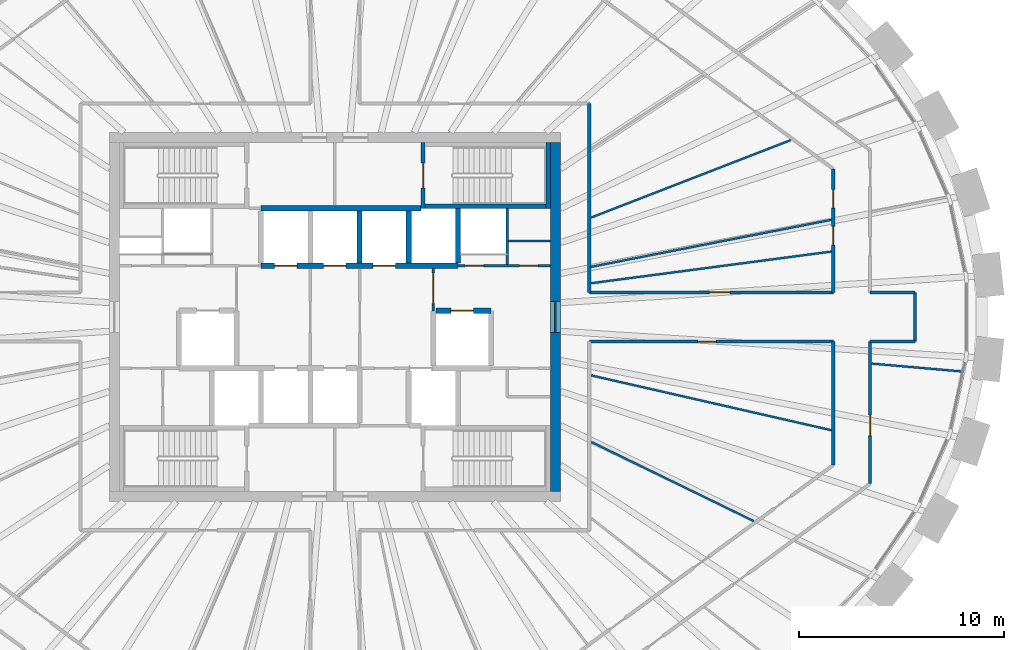
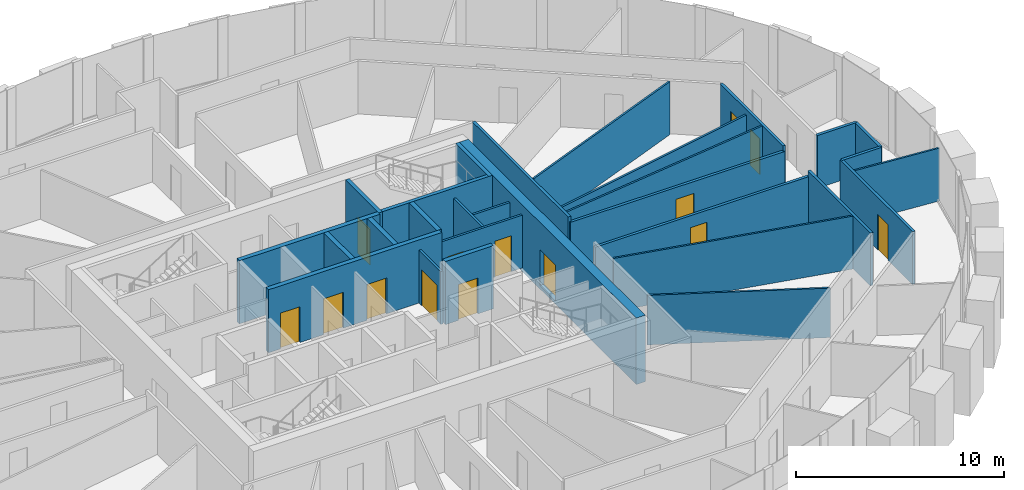
# One storey, part 9 of 12: 29 walls, 14 doors, 14 openings.
"""IFC4 building model written with IfcOpenShell, lengths in metres."""

from ifc_helpers import new_model, si_unit, direction, frame, frame_2d, origin, place, context, subcontext, project, spatial, rectangle, extrude, source, transform, mapped, material, layer, layer_set, type_object, element, fill, save


model = new_model("IFC4")

# Units and contexts
model_context = context("Model", 3, precision=1e-05, world=origin(), true_north=direction((0.0, 1.0)))
body_context = subcontext(model_context, "Body", "Model", "MODEL_VIEW")
ifc_project = project(units=[si_unit("LENGTHUNIT", "METRE"), si_unit("AREAUNIT", "SQUARE_METRE"), si_unit("VOLUMEUNIT", "CUBIC_METRE"), si_unit("PLANEANGLEUNIT", "RADIAN"), si_unit("MASSUNIT", "GRAM", prefix="KILO")], contexts=[model_context])

# Site, building, storey
site_placement = place(None, origin())
site = spatial("IfcSite", under=ifc_project, at=site_placement, CompositionType="ELEMENT")
building_placement = place(site_placement, origin())
building = spatial("IfcBuilding", under=site, at=building_placement, Name="Embergate Tower", CompositionType="ELEMENT")
storey_placement = place(building_placement, frame((0.0, 0.0, 281.199951171875)))
storey = spatial("IfcBuildingStorey", under=building, at=storey_placement, Name="L65", CompositionType="ELEMENT", Elevation=281.199951171875)

# Wall, opening, door
ifc_material_1 = material(Name="Concrete C50", Category="concrete")
ifc_layer_1 = layer(ifc_material_1, 0.5)
ifc_layer_set_1 = layer_set([ifc_layer_1], Name="Concrete C50")
wall_type_1 = type_object("IfcWallType", Name="Core outer wall C50 500", PredefinedType="SHEAR", material=ifc_layer_set_1)
shared_shape_1 = source(origin(), body_context, "Body", "SweptSolid", [
    extrude(rectangle(XDim=17.0, YDim=0.5, at=frame_2d((8.5, 0.0))), origin(), (0.0, 0.0, 1.0), 3.89990234375),
])
wall_1_placement = place(storey_placement, frame((10.75, -8.5, -0.199951171875), z_axis=(0.0, 0.0, 1.0), x_axis=(0.0, 1.0, 0.0)))
wall_1 = element("IfcWall", 1, at=wall_1_placement, inside=storey, type_object=wall_type_1, Name="CW-L65-E", PredefinedType="SHEAR", context=body_context, shape_type="MappedRepresentation", body=[
    mapped(shared_shape_1, transform((0.0, 0.0, 0.0))),
])
shared_shape_2 = source(origin(), body_context, "Body", "SweptSolid", [
    extrude(rectangle(XDim=1.5, YDim=2.10009765625, at=frame_2d((0.75, 1.050048828125))), frame((0.0, 0.260009765625, 0.0), z_axis=(0.0, -1.0, 0.0), x_axis=(1.0, 0.0, 0.0)), (0.0, 0.0, 1.0), 0.52001953125),
])
opening_1_placement = place(wall_1_placement, frame((7.75, 0.0, 0.199951171875)))
opening_1 = element("IfcOpeningElement", 2, at=opening_1_placement, cuts=wall_1, Name="Opening IF-3", PredefinedType="OPENING", context=body_context, shape_type="MappedRepresentation", body=[
    mapped(shared_shape_2, transform((0.0, 0.0, 0.0))),
])
ifc_material_2 = material(Name="Lobby fire door pair 1500")
door_type_1 = type_object("IfcDoorType", Name="Lobby fire door pair 1500", OperationType="DOUBLE_DOOR_SINGLE_SWING", PredefinedType="DOOR", material=ifc_material_2)
shared_shape_3 = source(origin(), body_context, "Body", "SweptSolid", [
    extrude(rectangle(XDim=1.5, YDim=2.10009765625, at=frame_2d((0.75, 1.050048828125))), frame((0.0, 0.02490234375, 0.0), z_axis=(0.0, -1.0, 0.0), x_axis=(1.0, 0.0, 0.0)), (0.0, 0.0, 1.0), 0.050048828125),
])
door_1_placement = place(opening_1_placement, origin())
door_1 = element("IfcDoor", 3, at=door_1_placement, inside=storey, type_object=door_type_1, Name="IF-3 door", OperationType="DOUBLE_DOOR_SINGLE_SWING", OverallHeight=2.10009765625, OverallWidth=1.5, PredefinedType="DOOR", context=body_context, shape_type="MappedRepresentation", body=[
    mapped(shared_shape_3, transform((0.0, 0.0, 0.0))),
])
fill(opening_1, door_1)

# Wall
ifc_layer_2 = layer(ifc_material_1, 0.25)
ifc_layer_set_2 = layer_set([ifc_layer_2], Name="Concrete C50")
wall_type_2 = type_object("IfcWallType", Name="Hoistway wall reinforced concrete 250", PredefinedType="SHEAR", material=ifc_layer_set_2)
shared_shape_4 = source(origin(), body_context, "Body", "SweptSolid", [
    extrude(rectangle(XDim=2.675048828125, YDim=0.25, at=frame_2d((1.33740234375, 0.0))), origin(), (0.0, 0.0, 1.0), 3.699951171875),
])
wall_2_placement = place(storey_placement, frame((6.0, 2.625, 0.0), z_axis=(0.0, 0.0, 1.0), x_axis=(0.0, 1.0, 0.0)))
element("IfcWall", 4, at=wall_2_placement, inside=storey, type_object=wall_type_2, Name="HW-1 wall", PredefinedType="SHEAR", context=body_context, shape_type="MappedRepresentation", body=[
    mapped(shared_shape_4, transform((0.0, 0.0, 0.0))),
])

# Wall, opening, door
wall_3_placement = place(storey_placement, frame((7.60009765625, 0.300048828125, 0.0), z_axis=(0.0, 0.0, 1.0), x_axis=(-1.0, 0.0, 0.0)))
wall_3 = element("IfcWall", 5, at=wall_3_placement, inside=storey, type_object=wall_type_2, Name="HW-1 wall", PredefinedType="SHEAR", context=body_context, shape_type="MappedRepresentation", body=[
    mapped(shared_shape_4, transform((0.0, 0.0, 0.0))),
])
shared_shape_5 = source(origin(), body_context, "Body", "SweptSolid", [
    extrude(rectangle(XDim=1.10009765625, YDim=2.10009765625, at=frame_2d((0.550048828125, 1.050048828125))), frame((0.0, 0.135009765625, 0.0), z_axis=(0.0, -1.0, 0.0), x_axis=(1.0, 0.0, 0.0)), (0.0, 0.0, 1.0), 0.27001953125),
])
opening_2_placement = place(wall_3_placement, frame((0.85009765625, 0.0, 0.0)))
opening_2 = element("IfcOpeningElement", 6, at=opening_2_placement, cuts=wall_3, Name="Opening LD", PredefinedType="OPENING", context=body_context, shape_type="MappedRepresentation", body=[
    mapped(shared_shape_5, transform((0.0, 0.0, 0.0))),
])
ifc_material_3 = material(Name="Landing door sliding 1100")
door_type_2 = type_object("IfcDoorType", Name="Landing door sliding 1100", OperationType="SLIDING_TO_LEFT", PredefinedType="DOOR", material=ifc_material_3)
shared_shape_6 = source(origin(), body_context, "Body", "SweptSolid", [
    extrude(rectangle(XDim=1.10009765625, YDim=2.10009765625, at=frame_2d((0.550048828125, 1.050048828125))), frame((0.0, 0.02490234375, 0.0), z_axis=(0.0, -1.0, 0.0), x_axis=(1.0, 0.0, 0.0)), (0.0, 0.0, 1.0), 0.050048828125),
])
door_2_placement = place(opening_2_placement, origin())
door_2 = element("IfcDoor", 7, at=door_2_placement, inside=storey, type_object=door_type_2, Name="LD door", OperationType="SLIDING_TO_RIGHT", OverallHeight=2.10009765625, OverallWidth=1.10009765625, PredefinedType="DOOR", context=body_context, shape_type="MappedRepresentation", body=[
    mapped(shared_shape_6, transform((0.0, 0.0, 0.0))),
])
fill(opening_2, door_2)

# Walls
ifc_layer_3 = layer(ifc_material_1, 0.199951171875)
ifc_layer_set_3 = layer_set([ifc_layer_3], Name="Concrete C50")
wall_type_3 = type_object("IfcWallType", Name="Stair enclosure wall reinforced concrete 250", PredefinedType="SHEAR", material=ifc_layer_set_3)
shared_shape_7 = source(origin(), body_context, "Body", "SweptSolid", [
    extrude(rectangle(XDim=6.300048828125, YDim=0.199951171875, at=frame_2d((3.14990234375, 0.0))), origin(), (0.0, 0.0, 1.0), 3.699951171875),
])
wall_4_placement = place(storey_placement, frame((10.5, 5.39990234375, 0.0), z_axis=(0.0, 0.0, 1.0), x_axis=(-1.0, 0.0, 0.0)))
element("IfcWall", 8, at=wall_4_placement, inside=storey, type_object=wall_type_3, Name="SE-1 wall", PredefinedType="SHEAR", context=body_context, shape_type="MappedRepresentation", body=[
    mapped(shared_shape_7, transform((0.0, 0.0, 0.0))),
])
shared_shape_8 = source(origin(), body_context, "Body", "SweptSolid", [
    extrude(rectangle(XDim=2.550048828125, YDim=0.25, at=frame_2d((1.27490234375, 0.0))), origin(), (0.0, 0.0, 1.0), 3.699951171875),
])
for number, where, z_axis, x_axis, name in (
    (9, (1.199951171875, 2.625, 0.0), (0.0, 0.0, 1.0), (0.0, 1.0, 0.0), "HW-1 wall"),
    (10, (3.60009765625, 2.625, 0.0), (0.0, 0.0, 1.0), (0.0, 1.0, 0.0), "HW-1 wall"),
):
    element("IfcWall", number, at=place(storey_placement, frame(where, z_axis=z_axis, x_axis=x_axis)), inside=storey, type_object=wall_type_2, Name=name, PredefinedType="SHEAR", context=body_context, shape_type="MappedRepresentation", body=[
        mapped(shared_shape_8, transform((0.0, 0.0, 0.0))),
    ])

# Wall, opening, door
ifc_material_4 = material(Name="Core partition blockwork 120")
ifc_layer_4 = layer(ifc_material_4, 0.1201171875)
ifc_layer_set_4 = layer_set([ifc_layer_4], Name="Core partition blockwork 120")
wall_type_4 = type_object("IfcWallType", Name="Core partition blockwork 120", PredefinedType="PARTITIONING", material=ifc_layer_set_4)
shared_shape_9 = source(origin(), body_context, "Body", "SweptSolid", [
    extrude(rectangle(XDim=2.074951171875, YDim=0.1201171875, at=frame_2d((1.03759765625, 0.0))), origin(), (0.0, 0.0, 1.0), 3.10009765625),
])
wall_5_placement = place(storey_placement, frame((4.800048828125, 0.300048828125, 0.0), z_axis=(0.0, 0.0, 1.0), x_axis=(0.0, 1.0, 0.0)))
wall_5 = element("IfcWall", 11, at=wall_5_placement, inside=storey, type_object=wall_type_4, Name="IP-3 wall", PredefinedType="PARTITIONING", context=body_context, shape_type="MappedRepresentation", body=[
    mapped(shared_shape_9, transform((0.0, 0.0, 0.0))),
])
shared_shape_10 = source(origin(), body_context, "Body", "SweptSolid", [
    extrude(rectangle(XDim=1.5, YDim=2.10009765625, at=frame_2d((0.75, 1.050048828125))), frame((0.0, 0.070068359375, 0.0), z_axis=(0.0, -1.0, 0.0), x_axis=(1.0, 0.0, 0.0)), (0.0, 0.0, 1.0), 0.14013671875),
])
opening_3_placement = place(wall_5_placement, frame((0.35009765625, 0.0, 0.0)))
opening_3 = element("IfcOpeningElement", 12, at=opening_3_placement, cuts=wall_5, Name="Opening IF-3", PredefinedType="OPENING", context=body_context, shape_type="MappedRepresentation", body=[
    mapped(shared_shape_10, transform((0.0, 0.0, 0.0))),
])
door_3_placement = place(opening_3_placement, origin())
door_3 = element("IfcDoor", 13, at=door_3_placement, inside=storey, type_object=door_type_1, Name="IF-3 door", OperationType="DOUBLE_DOOR_SINGLE_SWING", OverallHeight=2.10009765625, OverallWidth=1.5, PredefinedType="DOOR", context=body_context, shape_type="MappedRepresentation", body=[
    mapped(shared_shape_3, transform((0.0, 0.0, 0.0))),
])
fill(opening_3, door_3)

shared_shape_11 = source(origin(), body_context, "Body", "SweptSolid", [
    extrude(rectangle(XDim=3.199951171875, YDim=0.199951171875, at=frame_2d((1.60009765625, 0.0))), origin(), (0.0, 0.0, 1.0), 3.699951171875),
])
wall_6_placement = place(storey_placement, frame((4.300048828125, 8.5, 0.0), z_axis=(0.0, 0.0, 1.0), x_axis=(0.0, -1.0, 0.0)))
wall_6 = element("IfcWall", 14, at=wall_6_placement, inside=storey, type_object=wall_type_3, Name="SE-1 wall", PredefinedType="SHEAR", context=body_context, shape_type="MappedRepresentation", body=[
    mapped(shared_shape_11, transform((0.0, 0.0, 0.0))),
])
shared_shape_12 = source(origin(), body_context, "Body", "SweptSolid", [
    extrude(rectangle(XDim=1.199951171875, YDim=2.10009765625, at=frame_2d((0.60009765625, 1.050048828125))), frame((0.0, 0.10986328125, 0.0), z_axis=(0.0, -1.0, 0.0), x_axis=(1.0, 0.0, 0.0)), (0.0, 0.0, 1.0), 0.219970703125),
])
opening_4_placement = place(wall_6_placement, frame((1.0, 0.0, 0.0)))
opening_4 = element("IfcOpeningElement", 15, at=opening_4_placement, cuts=wall_6, Name="Opening IF-2", PredefinedType="OPENING", context=body_context, shape_type="MappedRepresentation", body=[
    mapped(shared_shape_12, transform((0.0, 0.0, 0.0))),
])
ifc_material_5 = material(Name="Stair enclosure door 1200")
door_type_3 = type_object("IfcDoorType", Name="Stair enclosure door 1200", OperationType="SINGLE_SWING_LEFT", PredefinedType="DOOR", material=ifc_material_5)
shared_shape_13 = source(origin(), body_context, "Body", "SweptSolid", [
    extrude(rectangle(XDim=1.199951171875, YDim=2.10009765625, at=frame_2d((0.60009765625, 1.050048828125))), frame((0.0, 0.02490234375, 0.0), z_axis=(0.0, -1.0, 0.0), x_axis=(1.0, 0.0, 0.0)), (0.0, 0.0, 1.0), 0.050048828125),
])
door_4_placement = place(opening_4_placement, origin())
door_4 = element("IfcDoor", 16, at=door_4_placement, inside=storey, type_object=door_type_3, Name="IF-2 door", OperationType="SINGLE_SWING_RIGHT", OverallHeight=2.10009765625, OverallWidth=1.199951171875, PredefinedType="DOOR", context=body_context, shape_type="MappedRepresentation", body=[
    mapped(shared_shape_13, transform((0.0, 0.0, 0.0))),
])
fill(opening_4, door_4)

# Walls
wall_7_placement = place(storey_placement, frame((10.39990234375, 5.300048828125, 0.0), z_axis=(0.0, 0.0, 1.0), x_axis=(0.0, 1.0, 0.0)))
element("IfcWall", 17, at=wall_7_placement, inside=storey, type_object=wall_type_3, Name="SE-1 wall", PredefinedType="SHEAR", context=body_context, shape_type="MappedRepresentation", body=[
    mapped(shared_shape_11, transform((0.0, 0.0, 0.0))),
])
shared_shape_14 = source(origin(), body_context, "Body", "SweptSolid", [
    extrude(rectangle(XDim=7.800048828125, YDim=0.25, at=frame_2d((3.89990234375, 0.0))), origin(), (0.0, 0.0, 1.0), 3.699951171875),
])
wall_8_placement = place(storey_placement, frame((4.199951171875, 5.300048828125, 0.0), z_axis=(0.0, 0.0, 1.0), x_axis=(-1.0, 0.0, 0.0)))
element("IfcWall", 18, at=wall_8_placement, inside=storey, type_object=wall_type_2, Name="HW-1 wall", PredefinedType="SHEAR", context=body_context, shape_type="MappedRepresentation", body=[
    mapped(shared_shape_14, transform((0.0, 0.0, 0.0))),
])
ifc_material_6 = material(Name="Corridor wall dry-lined 150")
ifc_layer_5 = layer(ifc_material_6, 0.14990234375)
ifc_layer_set_5 = layer_set([ifc_layer_5], Name="Corridor wall dry-lined 150")
wall_type_5 = type_object("IfcWallType", Name="Corridor wall dry-lined 150", PredefinedType="PARTITIONING", material=ifc_layer_set_5)
shared_shape_15 = source(origin(), body_context, "Body", "SweptSolid", [
    extrude(rectangle(XDim=9.199951171875, YDim=0.14990234375, at=frame_2d((4.60009765625, 0.0))), origin(), (0.0, 0.0, 1.0), 3.10009765625),
])
wall_9_placement = place(storey_placement, frame((12.39990234375, 1.199951171875, 0.0), z_axis=(0.0, 0.0, 1.0), x_axis=(0.0, 1.0, 0.0)))
element("IfcWall", 19, at=wall_9_placement, inside=storey, type_object=wall_type_5, Name="IP-2 wall", PredefinedType="PARTITIONING", context=body_context, shape_type="MappedRepresentation", body=[
    mapped(shared_shape_15, transform((0.0, 0.0, 0.0))),
])
shared_shape_16 = source(origin(), body_context, "Body", "SweptSolid", [
    extrude(rectangle(XDim=2.39990234375, YDim=0.14990234375, at=frame_2d((1.199951171875, 0.0))), origin(), (0.0, 0.0, 1.0), 3.10009765625),
])
wall_10_placement = place(storey_placement, frame((28.27294921875, -1.199951171875, 0.0), z_axis=(0.0, 0.0, 1.0), x_axis=(0.0, 1.0, 0.0)))
element("IfcWall", 20, at=wall_10_placement, inside=storey, type_object=wall_type_5, Name="IP-2 wall", PredefinedType="PARTITIONING", context=body_context, shape_type="MappedRepresentation", body=[
    mapped(shared_shape_16, transform((0.0, 0.0, 0.0))),
])

# Wall, openings, doors
shared_shape_17 = source(origin(), body_context, "Body", "SweptSolid", [
    extrude(rectangle(XDim=4.5, YDim=0.1201171875, at=frame_2d((2.25, 0.0))), origin(), (0.0, 0.0, 1.0), 3.10009765625),
])
wall_11_placement = place(storey_placement, frame((6.0, 2.5, 0.0), z_axis=(0.0, 0.0, 1.0), x_axis=(1.0, 0.0, 0.0)))
wall_11 = element("IfcWall", 21, at=wall_11_placement, inside=storey, type_object=wall_type_4, Name="IP-3 wall", PredefinedType="PARTITIONING", context=body_context, shape_type="MappedRepresentation", body=[
    mapped(shared_shape_17, transform((0.0, 0.0, 0.0))),
])
shared_shape_18 = source(origin(), body_context, "Body", "SweptSolid", [
    extrude(rectangle(XDim=0.89990234375, YDim=2.10009765625, at=frame_2d((0.449951171875, 1.050048828125))), frame((0.0, 0.070068359375, 0.0), z_axis=(0.0, -1.0, 0.0), x_axis=(1.0, 0.0, 0.0)), (0.0, 0.0, 1.0), 0.14013671875),
])
opening_5_placement = place(wall_11_placement, frame((0.35009765625, 0.0, 0.0)))
opening_5 = element("IfcOpeningElement", 22, at=opening_5_placement, cuts=wall_11, Name="Opening ID-1", PredefinedType="OPENING", context=body_context, shape_type="MappedRepresentation", body=[
    mapped(shared_shape_18, transform((0.0, 0.0, 0.0))),
])
opening_6_placement = place(wall_11_placement, frame((3.0, 0.0, 0.0)))
opening_6 = element("IfcOpeningElement", 23, at=opening_6_placement, cuts=wall_11, Name="Opening ID-1", PredefinedType="OPENING", context=body_context, shape_type="MappedRepresentation", body=[
    mapped(shared_shape_18, transform((0.0, 0.0, 0.0))),
])
ifc_material_7 = material(Name="Interior door 900")
door_type_4 = type_object("IfcDoorType", Name="Interior door 900", OperationType="SINGLE_SWING_LEFT", PredefinedType="DOOR", material=ifc_material_7)
shared_shape_19 = source(origin(), body_context, "Body", "SweptSolid", [
    extrude(rectangle(XDim=0.89990234375, YDim=2.10009765625, at=frame_2d((0.449951171875, 1.050048828125))), frame((0.0, 0.02490234375, 0.0), z_axis=(0.0, -1.0, 0.0), x_axis=(1.0, 0.0, 0.0)), (0.0, 0.0, 1.0), 0.050048828125),
])
door_5_placement = place(opening_5_placement, origin())
door_5 = element("IfcDoor", 24, at=door_5_placement, inside=storey, type_object=door_type_4, Name="ID-1 door", OperationType="SINGLE_SWING_LEFT", OverallHeight=2.10009765625, OverallWidth=0.89990234375, PredefinedType="DOOR", context=body_context, shape_type="MappedRepresentation", body=[
    mapped(shared_shape_19, transform((0.0, 0.0, 0.0))),
])
fill(opening_5, door_5)
door_6_placement = place(opening_6_placement, origin())
door_6 = element("IfcDoor", 25, at=door_6_placement, inside=storey, type_object=door_type_4, Name="ID-1 door", OperationType="SINGLE_SWING_RIGHT", OverallHeight=2.10009765625, OverallWidth=0.89990234375, PredefinedType="DOOR", context=body_context, shape_type="MappedRepresentation", body=[
    mapped(shared_shape_19, transform((0.0, 0.0, 0.0))),
])
fill(opening_6, door_6)

# Walls
shared_shape_20 = source(origin(), body_context, "Body", "SweptSolid", [
    extrude(rectangle(XDim=2.738037109375, YDim=0.1201171875, at=frame_2d((1.369140625, 0.0))), origin(), (0.0, 0.0, 1.0), 3.10009765625),
])
wall_12_placement = place(storey_placement, frame((8.39990234375, 2.56005859375, 0.0), z_axis=(0.0, 0.0, 1.0), x_axis=(0.0, 1.0, 0.0)))
element("IfcWall", 26, at=wall_12_placement, inside=storey, type_object=wall_type_4, Name="IP-3 wall", PredefinedType="PARTITIONING", context=body_context, shape_type="MappedRepresentation", body=[
    mapped(shared_shape_20, transform((0.0, 0.0, 0.0))),
])
shared_shape_21 = source(origin(), body_context, "Body", "SweptSolid", [
    extrude(rectangle(XDim=2.0380859375, YDim=0.1201171875, at=frame_2d((1.01904296875, 0.0))), origin(), (0.0, 0.0, 1.0), 3.10009765625),
])
wall_13_placement = place(storey_placement, frame((10.5, 3.7041015625, 0.0), z_axis=(0.0, 0.0, 1.0), x_axis=(-1.0, 0.0, 0.0)))
element("IfcWall", 27, at=wall_13_placement, inside=storey, type_object=wall_type_4, Name="IP-3 wall", PredefinedType="PARTITIONING", context=body_context, shape_type="MappedRepresentation", body=[
    mapped(shared_shape_21, transform((0.0, 0.0, 0.0))),
])

# Wall, openings, doors
shared_shape_22 = source(origin(), body_context, "Body", "SweptSolid", [
    extrude(rectangle(XDim=9.60009765625, YDim=0.25, at=frame_2d((4.800048828125, 0.0))), origin(), (0.0, 0.0, 1.0), 3.699951171875),
])
wall_14_placement = place(storey_placement, frame((-3.60009765625, 2.5, 0.0), z_axis=(0.0, 0.0, 1.0), x_axis=(1.0, 0.0, 0.0)))
wall_14 = element("IfcWall", 28, at=wall_14_placement, inside=storey, type_object=wall_type_2, Name="HW-1 wall", PredefinedType="SHEAR", context=body_context, shape_type="MappedRepresentation", body=[
    mapped(shared_shape_22, transform((0.0, 0.0, 0.0))),
])
opening_7_placement = place(wall_14_placement, frame((0.64990234375, 0.0, 0.0)))
opening_7 = element("IfcOpeningElement", 29, at=opening_7_placement, cuts=wall_14, Name="Opening LD", PredefinedType="OPENING", context=body_context, shape_type="MappedRepresentation", body=[
    mapped(shared_shape_5, transform((0.0, 0.0, 0.0))),
])
opening_8_placement = place(wall_14_placement, frame((3.050048828125, 0.0, 0.0)))
opening_8 = element("IfcOpeningElement", 30, at=opening_8_placement, cuts=wall_14, Name="Opening LD", PredefinedType="OPENING", context=body_context, shape_type="MappedRepresentation", body=[
    mapped(shared_shape_5, transform((0.0, 0.0, 0.0))),
])
opening_9_placement = place(wall_14_placement, frame((5.449951171875, 0.0, 0.0)))
opening_9 = element("IfcOpeningElement", 31, at=opening_9_placement, cuts=wall_14, Name="Opening LD", PredefinedType="OPENING", context=body_context, shape_type="MappedRepresentation", body=[
    mapped(shared_shape_5, transform((0.0, 0.0, 0.0))),
])
door_7_placement = place(opening_7_placement, origin())
door_7 = element("IfcDoor", 32, at=door_7_placement, inside=storey, type_object=door_type_2, Name="LD door", OperationType="SLIDING_TO_LEFT", OverallHeight=2.10009765625, OverallWidth=1.10009765625, PredefinedType="DOOR", context=body_context, shape_type="MappedRepresentation", body=[
    mapped(shared_shape_6, transform((0.0, 0.0, 0.0))),
])
fill(opening_7, door_7)
door_8_placement = place(opening_8_placement, origin())
door_8 = element("IfcDoor", 33, at=door_8_placement, inside=storey, type_object=door_type_2, Name="LD door", OperationType="SLIDING_TO_LEFT", OverallHeight=2.10009765625, OverallWidth=1.10009765625, PredefinedType="DOOR", context=body_context, shape_type="MappedRepresentation", body=[
    mapped(shared_shape_6, transform((0.0, 0.0, 0.0))),
])
fill(opening_8, door_8)
door_9_placement = place(opening_9_placement, origin())
door_9 = element("IfcDoor", 34, at=door_9_placement, inside=storey, type_object=door_type_2, Name="LD door", OperationType="SLIDING_TO_LEFT", OverallHeight=2.10009765625, OverallWidth=1.10009765625, PredefinedType="DOOR", context=body_context, shape_type="MappedRepresentation", body=[
    mapped(shared_shape_6, transform((0.0, 0.0, 0.0))),
])
fill(opening_9, door_9)

# Wall, opening, door
shared_shape_23 = source(origin(), body_context, "Body", "SweptSolid", [
    extrude(rectangle(XDim=6.929931640625, YDim=0.14990234375, at=frame_2d((3.46484375, 0.0))), origin(), (0.0, 0.0, 1.0), 3.10009765625),
])
wall_15_placement = place(storey_placement, frame((26.096923828125, -8.1298828125, 0.0), z_axis=(0.0, 0.0, 1.0), x_axis=(0.0, 1.0, 0.0)))
wall_15 = element("IfcWall", 35, at=wall_15_placement, inside=storey, type_object=wall_type_5, Name="IP-2 wall", PredefinedType="PARTITIONING", context=body_context, shape_type="MappedRepresentation", body=[
    mapped(shared_shape_23, transform((0.0, 0.0, 0.0))),
])
shared_shape_24 = source(origin(), body_context, "Body", "SweptSolid", [
    extrude(rectangle(XDim=1.0, YDim=2.10009765625, at=frame_2d((0.5, 1.050048828125))), frame((0.0, 0.0849609375, 0.0), z_axis=(0.0, -1.0, 0.0), x_axis=(1.0, 0.0, 0.0)), (0.0, 0.0, 1.0), 0.169921875),
])
opening_10_placement = place(wall_15_placement, frame((2.348388671875, 0.0, 0.0)))
opening_10 = element("IfcOpeningElement", 36, at=opening_10_placement, cuts=wall_15, Name="Opening ID-2", PredefinedType="OPENING", context=body_context, shape_type="MappedRepresentation", body=[
    mapped(shared_shape_24, transform((0.0, 0.0, 0.0))),
])
ifc_material_8 = material(Name="Interior door 1000")
door_type_5 = type_object("IfcDoorType", Name="Interior door 1000", OperationType="SINGLE_SWING_LEFT", PredefinedType="DOOR", material=ifc_material_8)
shared_shape_25 = source(origin(), body_context, "Body", "SweptSolid", [
    extrude(rectangle(XDim=1.0, YDim=2.10009765625, at=frame_2d((0.5, 1.050048828125))), frame((0.0, 0.02490234375, 0.0), z_axis=(0.0, -1.0, 0.0), x_axis=(1.0, 0.0, 0.0)), (0.0, 0.0, 1.0), 0.050048828125),
])
door_10_placement = place(opening_10_placement, origin())
door_10 = element("IfcDoor", 37, at=door_10_placement, inside=storey, type_object=door_type_5, Name="ID-2 door", OperationType="SINGLE_SWING_RIGHT", OverallHeight=2.10009765625, OverallWidth=1.0, PredefinedType="DOOR", context=body_context, shape_type="MappedRepresentation", body=[
    mapped(shared_shape_25, transform((0.0, 0.0, 0.0))),
])
fill(opening_10, door_10)

# Walls
shared_shape_26 = source(origin(), body_context, "Body", "SweptSolid", [
    extrude(rectangle(XDim=2.176025390625, YDim=0.14990234375, at=frame_2d((1.087890625, 0.0))), origin(), (0.0, 0.0, 1.0), 3.10009765625),
])
for number, where, z_axis, x_axis, name in (
    (38, (26.096923828125, -1.199951171875, 0.0), (0.0, 0.0, 1.0), (1.0, 0.0, 0.0), "IP-2 wall"),
    (39, (28.27294921875, 1.199951171875, 0.0), (0.0, 0.0, 1.0), (-1.0, 0.0, 0.0), "IP-2 wall"),
):
    element("IfcWall", number, at=place(storey_placement, frame(where, z_axis=z_axis, x_axis=x_axis)), inside=storey, type_object=wall_type_5, Name=name, PredefinedType="PARTITIONING", context=body_context, shape_type="MappedRepresentation", body=[
        mapped(shared_shape_26, transform((0.0, 0.0, 0.0))),
    ])

# Wall, openings, doors
shared_shape_27 = source(origin(), body_context, "Body", "SweptSolid", [
    extrude(rectangle(XDim=6.02001953125, YDim=0.14990234375, at=frame_2d((3.010009765625, 0.0))), origin(), (0.0, 0.0, 1.0), 3.10009765625),
])
wall_16_placement = place(storey_placement, frame((24.297119140625, 7.219970703125, 0.0), z_axis=(0.0, 0.0, 1.0), x_axis=(0.0, -1.0, 0.0)))
wall_16 = element("IfcWall", 40, at=wall_16_placement, inside=storey, type_object=wall_type_5, Name="IP-2 wall", PredefinedType="PARTITIONING", context=body_context, shape_type="MappedRepresentation", body=[
    mapped(shared_shape_27, transform((0.0, 0.0, 0.0))),
])
shared_shape_28 = source(origin(), body_context, "Body", "SweptSolid", [
    extrude(rectangle(XDim=0.89990234375, YDim=2.10009765625, at=frame_2d((0.449951171875, 1.050048828125))), frame((0.0, 0.0849609375, 0.0), z_axis=(0.0, -1.0, 0.0), x_axis=(1.0, 0.0, 0.0)), (0.0, 0.0, 1.0), 0.169921875),
])
opening_11_placement = place(wall_16_placement, frame((2.805908203125, 0.0, 0.0)))
opening_11 = element("IfcOpeningElement", 41, at=opening_11_placement, cuts=wall_16, Name="Opening IF-1c", PredefinedType="OPENING", context=body_context, shape_type="MappedRepresentation", body=[
    mapped(shared_shape_28, transform((0.0, 0.0, 0.0))),
])
opening_12_placement = place(wall_16_placement, frame((1.0078125, 0.0, 0.0)))
opening_12 = element("IfcOpeningElement", 42, at=opening_12_placement, cuts=wall_16, Name="Opening IF-1c", PredefinedType="OPENING", context=body_context, shape_type="MappedRepresentation", body=[
    mapped(shared_shape_28, transform((0.0, 0.0, 0.0))),
])
ifc_material_9 = material(Name="Escape fire door 900")
door_type_6 = type_object("IfcDoorType", Name="Escape fire door 900", OperationType="SINGLE_SWING_LEFT", PredefinedType="DOOR", material=ifc_material_9)
door_11_placement = place(opening_11_placement, origin())
door_11 = element("IfcDoor", 43, at=door_11_placement, inside=storey, type_object=door_type_6, Name="IF-1 door", OperationType="SINGLE_SWING_RIGHT", OverallHeight=2.10009765625, OverallWidth=0.89990234375, PredefinedType="DOOR", context=body_context, shape_type="MappedRepresentation", body=[
    mapped(shared_shape_19, transform((0.0, 0.0, 0.0))),
])
fill(opening_11, door_11)
door_12_placement = place(opening_12_placement, origin())
door_12 = element("IfcDoor", 44, at=door_12_placement, inside=storey, type_object=door_type_6, Name="IF-1 door", OperationType="SINGLE_SWING_RIGHT", OverallHeight=2.10009765625, OverallWidth=0.89990234375, PredefinedType="DOOR", context=body_context, shape_type="MappedRepresentation", body=[
    mapped(shared_shape_19, transform((0.0, 0.0, 0.0))),
])
fill(opening_12, door_12)

# Wall
wall_17_placement = place(storey_placement, frame((24.297119140625, -1.199951171875, 0.0), z_axis=(0.0, 0.0, 1.0), x_axis=(0.0, -1.0, 0.0)))
element("IfcWall", 45, at=wall_17_placement, inside=storey, type_object=wall_type_5, Name="IP-2 wall", PredefinedType="PARTITIONING", context=body_context, shape_type="MappedRepresentation", body=[
    mapped(shared_shape_27, transform((0.0, 0.0, 0.0))),
])

# Wall, opening, door
shared_shape_29 = source(origin(), body_context, "Body", "SweptSolid", [
    extrude(rectangle(XDim=11.897216796875, YDim=0.14990234375, at=frame_2d((5.94873046875, 0.0))), origin(), (0.0, 0.0, 1.0), 2.800048828125),
])
wall_18_placement = place(storey_placement, frame((24.297119140625, 1.199951171875, 0.0), z_axis=(0.0, 0.0, 1.0), x_axis=(-1.0, 0.0, 0.0)))
wall_18 = element("IfcWall", 46, at=wall_18_placement, inside=storey, type_object=wall_type_5, Name="IP-2 wall", PredefinedType="PARTITIONING", context=body_context, shape_type="MappedRepresentation", body=[
    mapped(shared_shape_29, transform((0.0, 0.0, 0.0))),
])
opening_13_placement = place(wall_18_placement, frame((5.037109375, 0.0, 0.0)))
opening_13 = element("IfcOpeningElement", 47, at=opening_13_placement, cuts=wall_18, Name="Opening ID-2", PredefinedType="OPENING", context=body_context, shape_type="MappedRepresentation", body=[
    mapped(shared_shape_24, transform((0.0, 0.0, 0.0))),
])
door_13_placement = place(opening_13_placement, origin())
door_13 = element("IfcDoor", 48, at=door_13_placement, inside=storey, type_object=door_type_5, Name="ID-2 door", OperationType="SINGLE_SWING_RIGHT", OverallHeight=2.10009765625, OverallWidth=1.0, PredefinedType="DOOR", context=body_context, shape_type="MappedRepresentation", body=[
    mapped(shared_shape_25, transform((0.0, 0.0, 0.0))),
])
fill(opening_13, door_13)

wall_19_placement = place(storey_placement, frame((12.39990234375, -1.199951171875, 0.0), z_axis=(0.0, 0.0, 1.0), x_axis=(1.0, 0.0, 0.0)))
wall_19 = element("IfcWall", 49, at=wall_19_placement, inside=storey, type_object=wall_type_5, Name="IP-2 wall", PredefinedType="PARTITIONING", context=body_context, shape_type="MappedRepresentation", body=[
    mapped(shared_shape_29, transform((0.0, 0.0, 0.0))),
])
opening_14_placement = place(wall_19_placement, frame((5.291015625, 0.0, 0.0)))
opening_14 = element("IfcOpeningElement", 50, at=opening_14_placement, cuts=wall_19, Name="Opening IF-1c", PredefinedType="OPENING", context=body_context, shape_type="MappedRepresentation", body=[
    mapped(shared_shape_28, transform((0.0, 0.0, 0.0))),
])
door_14_placement = place(opening_14_placement, origin())
door_14 = element("IfcDoor", 51, at=door_14_placement, inside=storey, type_object=door_type_6, Name="IF-1 door", OperationType="SINGLE_SWING_LEFT", OverallHeight=2.10009765625, OverallWidth=0.89990234375, PredefinedType="DOOR", context=body_context, shape_type="MappedRepresentation", body=[
    mapped(shared_shape_19, transform((0.0, 0.0, 0.0))),
])
fill(opening_14, door_14)

# Walls
ifc_material_10 = material(Name="Partition dry-lined 100")
ifc_layer_6 = layer(ifc_material_10, 0.10009765625)
ifc_layer_set_6 = layer_set([ifc_layer_6], Name="Partition dry-lined 100")
wall_type_6 = type_object("IfcWallType", Name="Partition dry-lined 100", PredefinedType="PARTITIONING", material=ifc_layer_set_6)
shared_shape_30 = source(origin(), body_context, "Body", "SweptSolid", [
    extrude(rectangle(XDim=8.8095703125, YDim=0.10009765625, at=frame_2d((4.40478515625, 0.0))), origin(), (0.0, 0.0, 1.0), 2.900146484375),
])
wall_20_placement = place(storey_placement, frame((12.4970703125, -6.092041015625, 0.0), z_axis=(0.0, 0.0, 1.0), x_axis=(0.898904238301, -0.438145147599, 0.0)))
element("IfcWall", 52, at=wall_20_placement, inside=storey, type_object=wall_type_6, Name="IP-1 wall", PredefinedType="PARTITIONING", context=body_context, shape_type="MappedRepresentation", body=[
    mapped(shared_shape_30, transform((0.0, 0.0, 0.0))),
])
shared_shape_31 = source(origin(), body_context, "Body", "SweptSolid", [
    extrude(rectangle(XDim=4.510009765625, YDim=0.10009765625, at=frame_2d((2.2548828125, 0.0))), origin(), (0.0, 0.0, 1.0), 3.10009765625),
])
wall_21_placement = place(storey_placement, frame((30.6650390625, -2.6650390625, 0.0), z_axis=(0.0, 0.0, 1.0), x_axis=(-0.996232458599, 0.086723055952, 0.0)))
element("IfcWall", 53, at=wall_21_placement, inside=storey, type_object=wall_type_6, Name="IP-1 wall", PredefinedType="PARTITIONING", context=body_context, shape_type="MappedRepresentation", body=[
    mapped(shared_shape_31, transform((0.0, 0.0, 0.0))),
])
shared_shape_32 = source(origin(), body_context, "Body", "SweptSolid", [
    extrude(rectangle(XDim=11.83447265625, YDim=0.10009765625, at=frame_2d((5.917236328125, 0.0))), origin(), (0.0, 0.0, 1.0), 3.10009765625),
])
wall_22_placement = place(storey_placement, frame((12.48193359375, 1.64404296875, 0.0), z_axis=(0.0, 0.0, 1.0), x_axis=(0.991431741397, 0.130625809662, 0.0)))
element("IfcWall", 54, at=wall_22_placement, inside=storey, type_object=wall_type_6, Name="IP-1 wall", PredefinedType="PARTITIONING", context=body_context, shape_type="MappedRepresentation", body=[
    mapped(shared_shape_32, transform((0.0, 0.0, 0.0))),
])
ifc_material_11 = material(Name="Partition dry-lined 100 wet")
ifc_layer_7 = layer(ifc_material_11, 0.10009765625)
ifc_layer_set_7 = layer_set([ifc_layer_7], Name="Partition dry-lined 100 wet")
wall_type_7 = type_object("IfcWallType", Name="Partition dry-lined 100 wet", PredefinedType="PLUMBINGWALL", material=ifc_layer_set_7)
shared_shape_33 = source(origin(), body_context, "Body", "SweptSolid", [
    extrude(rectangle(XDim=11.94921875, YDim=0.10009765625, at=frame_2d((5.974609375, 0.0))), origin(), (0.0, 0.0, 1.0), 2.800048828125),
])
wall_23_placement = place(storey_placement, frame((12.485107421875, 2.443115234375, 0.0), z_axis=(0.0, 0.0, 1.0), x_axis=(0.981384033043, 0.192055668199, 0.0)))
element("IfcWall", 55, at=wall_23_placement, inside=storey, type_object=wall_type_7, Name="IP-1 wall", PredefinedType="PLUMBINGWALL", context=body_context, shape_type="MappedRepresentation", body=[
    mapped(shared_shape_33, transform((0.0, 0.0, 0.0))),
])
shared_shape_34 = source(origin(), body_context, "Body", "SweptSolid", [
    extrude(rectangle(XDim=12.026123046875, YDim=0.10009765625, at=frame_2d((6.01318359375, 0.0))), origin(), (0.0, 0.0, 1.0), 3.10009765625),
])
wall_24_placement = place(storey_placement, frame((24.2109375, -5.52294921875, 0.0), z_axis=(0.0, 0.0, 1.0), x_axis=(-0.974947255079, 0.222436170201, 0.0)))
element("IfcWall", 56, at=wall_24_placement, inside=storey, type_object=wall_type_6, Name="IP-1 wall", PredefinedType="PARTITIONING", context=body_context, shape_type="MappedRepresentation", body=[
    mapped(shared_shape_34, transform((0.0, 0.0, 0.0))),
])
shared_shape_35 = source(origin(), body_context, "Body", "SweptSolid", [
    extrude(rectangle(XDim=10.432373046875, YDim=0.10009765625, at=frame_2d((5.21630859375, 0.0))), origin(), (0.0, 0.0, 1.0), 3.10009765625),
])
wall_25_placement = place(storey_placement, frame((12.492919921875, 4.847900390625, 0.0), z_axis=(0.0, 0.0, 1.0), x_axis=(0.932301248235, 0.361682709761, 0.0)))
element("IfcWall", 57, at=wall_25_placement, inside=storey, type_object=wall_type_7, Name="IP-1 wall", PredefinedType="PLUMBINGWALL", context=body_context, shape_type="MappedRepresentation", body=[
    mapped(shared_shape_35, transform((0.0, 0.0, 0.0))),
])

save(model, "model.ifc")
